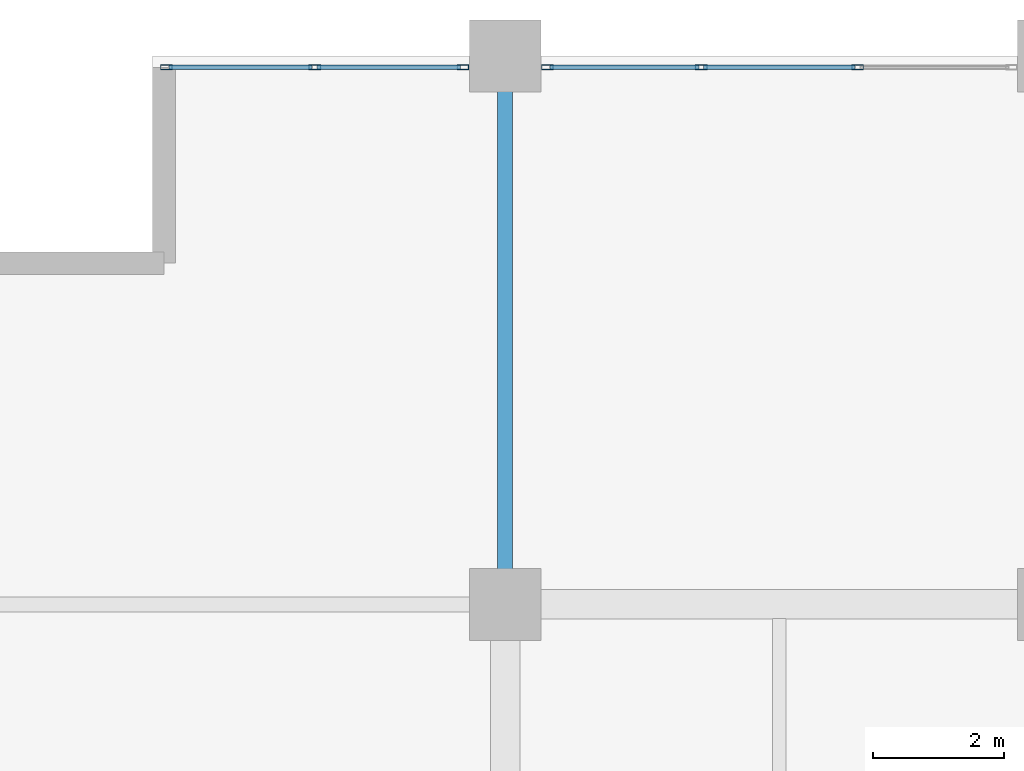
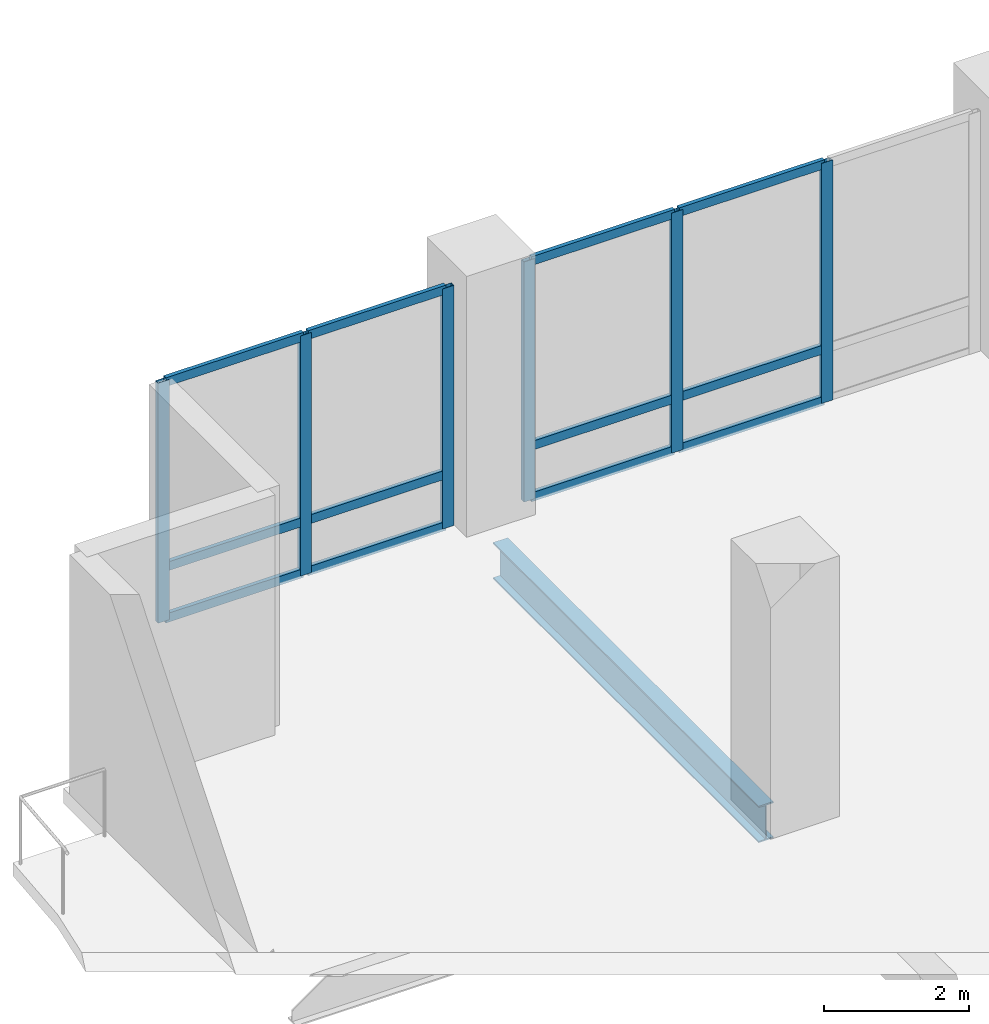
# One storey, part 9 of 25: 18 members, 1 beam, 2 elements without a shape of their own.
"""IFC4 building model written with IfcOpenShell, lengths in metres."""

from ifc_helpers import new_model, si_unit, direction, frame, origin, origin_2d, place, context, subcontext, project, spatial, hollow_rectangle, i_section, extrude, material, layer, layer_set, material_profile, profile_set, type_object, element, aggregate, save


model = new_model("IFC4")

# Units and contexts
model_context = context("Model", 3, precision=1e-05, world=origin(), true_north=direction((0.0, 1.0)))
body_context = subcontext(model_context, "Body", "Model", "MODEL_VIEW")
ifc_project = project(units=[si_unit("LENGTHUNIT", "METRE"), si_unit("AREAUNIT", "SQUARE_METRE"), si_unit("VOLUMEUNIT", "CUBIC_METRE"), si_unit("PLANEANGLEUNIT", "RADIAN"), si_unit("MASSUNIT", "GRAM", prefix="KILO")], contexts=[model_context])

# Site, building, storey
site_placement = place(None, origin())
site = spatial("IfcSite", under=ifc_project, at=site_placement, CompositionType="ELEMENT")
building_placement = place(site_placement, origin())
building = spatial("IfcBuilding", under=site, at=building_placement, Name="Koriwani Terraces Tower", CompositionType="ELEMENT")
storey_placement = place(building_placement, frame((0.0, 0.0, 157.60009765625)))
storey = spatial("IfcBuildingStorey", under=building, at=storey_placement, Name="L38", CompositionType="ELEMENT", Elevation=157.60009765625)

# Curtain wall, members
ifc_material_1 = material(Name="Anodised Bronze Aluminium", Category="aluminium")
ifc_layer = layer(ifc_material_1, 0.169921875, Name="Anodised Bronze Aluminium")
ifc_layer_set = layer_set([ifc_layer], Name="Anodised Bronze Aluminium")
curtain_wall_type = type_object("IfcCurtainWallType", Name="CW_RES_ZONE3", PredefinedType="NOTDEFINED", material=ifc_layer_set)
curtain_wall_1_placement = place(storey_placement, origin())
curtain_wall_1 = element("IfcCurtainWall", 1, at=curtain_wall_1_placement, inside=storey, type_object=curtain_wall_type, Name="L38 Unitised Curtain Wall (N_TIP) Bay 1", PredefinedType="NOTDEFINED")
ifc_material_profile_1 = material_profile(ifc_material_1, hollow_rectangle(XDim=0.074951171875, YDim=0.179931640625, WallThickness=0.006103515625, at=origin_2d()), Name="Anodised Bronze Aluminium", Category="LoadBearing")
ifc_profile_set_1 = profile_set([ifc_material_profile_1], Name="Anodised Bronze Aluminium")
member_type_1 = type_object("IfcMemberType", Name="CW_MULLION_180X75", PredefinedType="MULLION", material=ifc_profile_set_1)
member_1_placement = place(storey_placement, frame((3.21240234375, 75.425048828125, 0.0), z_axis=(0.0, 0.0, 1.0), x_axis=(0.0, 1.0, 0.0)))
member_1 = element("IfcMember", 2, at=member_1_placement, type_object=member_type_1, Name="CW-Z3 mullion 1", PredefinedType="MULLION", context=body_context, shape_type="SweptSolid", body=[
    extrude(hollow_rectangle(XDim=0.074951171875, YDim=0.179931640625, WallThickness=0.006103515625, at=origin_2d()), origin(), (0.0, 0.0, 1.0), 4.0498046875),
])
member_2_placement = place(storey_placement, frame((5.482421875, 75.425048828125, 0.0), z_axis=(0.0, 0.0, 1.0), x_axis=(0.0, 1.0, 0.0)))
member_2 = element("IfcMember", 3, at=member_2_placement, type_object=member_type_1, Name="CW-Z3 mullion 2", PredefinedType="MULLION", context=body_context, shape_type="SweptSolid", body=[
    extrude(hollow_rectangle(XDim=0.074951171875, YDim=0.179931640625, WallThickness=0.006103515625, at=origin_2d()), origin(), (0.0, 0.0, 1.0), 4.0498046875),
])
member_3_placement = place(storey_placement, frame((7.75244140625, 75.425048828125, 0.0), z_axis=(0.0, 0.0, 1.0), x_axis=(0.0, 1.0, 0.0)))
member_3 = element("IfcMember", 4, at=member_3_placement, type_object=member_type_1, Name="CW-Z3 mullion 3", PredefinedType="MULLION", context=body_context, shape_type="SweptSolid", body=[
    extrude(hollow_rectangle(XDim=0.074951171875, YDim=0.179931640625, WallThickness=0.006103515625, at=origin_2d()), origin(), (0.0, 0.0, 1.0), 4.0498046875),
])

curtain_wall_2_placement = place(storey_placement, origin())
curtain_wall_2 = element("IfcCurtainWall", 5, at=curtain_wall_2_placement, inside=storey, type_object=curtain_wall_type, Name="L38 Unitised Curtain Wall (N_TIP) Bay 2", PredefinedType="NOTDEFINED")
member_4_placement = place(storey_placement, frame((9.047607421875, 75.425048828125, 0.0), z_axis=(0.0, 0.0, 1.0), x_axis=(0.0, 1.0, 0.0)))
member_4 = element("IfcMember", 6, at=member_4_placement, type_object=member_type_1, Name="CW-Z3 mullion 1", PredefinedType="MULLION", context=body_context, shape_type="SweptSolid", body=[
    extrude(hollow_rectangle(XDim=0.074951171875, YDim=0.179931640625, WallThickness=0.006103515625, at=origin_2d()), origin(), (0.0, 0.0, 1.0), 4.0498046875),
])
member_5_placement = place(storey_placement, frame((11.4033203125, 75.425048828125, 0.0), z_axis=(0.0, 0.0, 1.0), x_axis=(0.0, 1.0, 0.0)))
member_5 = element("IfcMember", 7, at=member_5_placement, type_object=member_type_1, Name="CW-Z3 mullion 2", PredefinedType="MULLION", context=body_context, shape_type="SweptSolid", body=[
    extrude(hollow_rectangle(XDim=0.074951171875, YDim=0.179931640625, WallThickness=0.006103515625, at=origin_2d()), origin(), (0.0, 0.0, 1.0), 4.0498046875),
])
member_6_placement = place(storey_placement, frame((13.796630859375, 75.425048828125, 0.0), z_axis=(0.0, 0.0, 1.0), x_axis=(0.0, 1.0, 0.0)))
member_6 = element("IfcMember", 8, at=member_6_placement, type_object=member_type_1, Name="CW-Z3 mullion 3", PredefinedType="MULLION", context=body_context, shape_type="SweptSolid", body=[
    extrude(hollow_rectangle(XDim=0.074951171875, YDim=0.179931640625, WallThickness=0.006103515625, at=origin_2d()), origin(), (0.0, 0.0, 1.0), 4.0498046875),
])

# Member
ifc_material_profile_2 = material_profile(ifc_material_1, hollow_rectangle(XDim=0.06494140625, YDim=0.14990234375, WallThickness=0.0048828125, at=origin_2d()), Name="Anodised Bronze Aluminium", Category="LoadBearing")
ifc_profile_set_2 = profile_set([ifc_material_profile_2], Name="Anodised Bronze Aluminium")
member_type_2 = type_object("IfcMemberType", Name="CW_TRANSOM_150X65", PredefinedType="USERDEFINED", material=ifc_profile_set_2)
member_7_placement = place(storey_placement, frame((3.25, 75.425048828125, 0.032470703125), z_axis=(1.0, 0.0, 0.0), x_axis=(0.0, 1.0, 0.0)))
member_7 = element("IfcMember", 9, at=member_7_placement, type_object=member_type_2, Name="CW-Z3 transom 1.1", ObjectType="TRANSOM", PredefinedType="USERDEFINED", context=body_context, shape_type="SweptSolid", body=[
    extrude(hollow_rectangle(XDim=0.06494140625, YDim=0.14990234375, WallThickness=0.0048828125, at=origin_2d()), origin(), (0.0, 0.0, 1.0), 2.195068359375),
])

member_8_placement = place(storey_placement, frame((3.25, 75.425048828125, 0.89990234375), z_axis=(1.0, 0.0, 0.0), x_axis=(0.0, 1.0, 0.0)))
member_8 = element("IfcMember", 10, at=member_8_placement, type_object=member_type_2, Name="CW-Z3 transom 1.2", ObjectType="TRANSOM", PredefinedType="USERDEFINED", context=body_context, shape_type="SweptSolid", body=[
    extrude(hollow_rectangle(XDim=0.06494140625, YDim=0.14990234375, WallThickness=0.0048828125, at=origin_2d()), origin(), (0.0, 0.0, 1.0), 2.195068359375),
])

member_9_placement = place(storey_placement, frame((3.25, 75.425048828125, 4.017333984375), z_axis=(1.0, 0.0, 0.0), x_axis=(0.0, 1.0, 0.0)))
member_9 = element("IfcMember", 11, at=member_9_placement, type_object=member_type_2, Name="CW-Z3 transom 1.3", ObjectType="TRANSOM", PredefinedType="USERDEFINED", context=body_context, shape_type="SweptSolid", body=[
    extrude(hollow_rectangle(XDim=0.06494140625, YDim=0.14990234375, WallThickness=0.0048828125, at=origin_2d()), origin(), (0.0, 0.0, 1.0), 2.195068359375),
])

member_10_placement = place(storey_placement, frame((5.52001953125, 75.425048828125, 0.032470703125), z_axis=(1.0, 0.0, 0.0), x_axis=(0.0, 1.0, 0.0)))
member_10 = element("IfcMember", 12, at=member_10_placement, type_object=member_type_2, Name="CW-Z3 transom 2.1", ObjectType="TRANSOM", PredefinedType="USERDEFINED", context=body_context, shape_type="SweptSolid", body=[
    extrude(hollow_rectangle(XDim=0.06494140625, YDim=0.14990234375, WallThickness=0.0048828125, at=origin_2d()), origin(), (0.0, 0.0, 1.0), 2.195068359375),
])

member_11_placement = place(storey_placement, frame((5.52001953125, 75.425048828125, 0.89990234375), z_axis=(1.0, 0.0, 0.0), x_axis=(0.0, 1.0, 0.0)))
member_11 = element("IfcMember", 13, at=member_11_placement, type_object=member_type_2, Name="CW-Z3 transom 2.2", ObjectType="TRANSOM", PredefinedType="USERDEFINED", context=body_context, shape_type="SweptSolid", body=[
    extrude(hollow_rectangle(XDim=0.06494140625, YDim=0.14990234375, WallThickness=0.0048828125, at=origin_2d()), origin(), (0.0, 0.0, 1.0), 2.195068359375),
])

member_12_placement = place(storey_placement, frame((5.52001953125, 75.425048828125, 4.017333984375), z_axis=(1.0, 0.0, 0.0), x_axis=(0.0, 1.0, 0.0)))
member_12 = element("IfcMember", 14, at=member_12_placement, type_object=member_type_2, Name="CW-Z3 transom 2.3", ObjectType="TRANSOM", PredefinedType="USERDEFINED", context=body_context, shape_type="SweptSolid", body=[
    extrude(hollow_rectangle(XDim=0.06494140625, YDim=0.14990234375, WallThickness=0.0048828125, at=origin_2d()), origin(), (0.0, 0.0, 1.0), 2.195068359375),
])

aggregate(curtain_wall_1, [member_1, member_2, member_3, member_7, member_8, member_9, member_10, member_11, member_12])

member_13_placement = place(storey_placement, frame((9.0849609375, 75.425048828125, 0.032470703125), z_axis=(1.0, 0.0, 0.0), x_axis=(0.0, 1.0, 0.0)))
member_13 = element("IfcMember", 15, at=member_13_placement, type_object=member_type_2, Name="CW-Z3 transom 1.1", ObjectType="TRANSOM", PredefinedType="USERDEFINED", context=body_context, shape_type="SweptSolid", body=[
    extrude(hollow_rectangle(XDim=0.06494140625, YDim=0.14990234375, WallThickness=0.0048828125, at=origin_2d()), origin(), (0.0, 0.0, 1.0), 2.28076171875),
])

member_14_placement = place(storey_placement, frame((9.0849609375, 75.425048828125, 0.89990234375), z_axis=(1.0, 0.0, 0.0), x_axis=(0.0, 1.0, 0.0)))
member_14 = element("IfcMember", 16, at=member_14_placement, type_object=member_type_2, Name="CW-Z3 transom 1.2", ObjectType="TRANSOM", PredefinedType="USERDEFINED", context=body_context, shape_type="SweptSolid", body=[
    extrude(hollow_rectangle(XDim=0.06494140625, YDim=0.14990234375, WallThickness=0.0048828125, at=origin_2d()), origin(), (0.0, 0.0, 1.0), 2.28076171875),
])

member_15_placement = place(storey_placement, frame((9.0849609375, 75.425048828125, 4.017333984375), z_axis=(1.0, 0.0, 0.0), x_axis=(0.0, 1.0, 0.0)))
member_15 = element("IfcMember", 17, at=member_15_placement, type_object=member_type_2, Name="CW-Z3 transom 1.3", ObjectType="TRANSOM", PredefinedType="USERDEFINED", context=body_context, shape_type="SweptSolid", body=[
    extrude(hollow_rectangle(XDim=0.06494140625, YDim=0.14990234375, WallThickness=0.0048828125, at=origin_2d()), origin(), (0.0, 0.0, 1.0), 2.28076171875),
])

member_16_placement = place(storey_placement, frame((11.44091796875, 75.425048828125, 0.032470703125), z_axis=(1.0, 0.0, 0.0), x_axis=(0.0, 1.0, 0.0)))
member_16 = element("IfcMember", 18, at=member_16_placement, type_object=member_type_2, Name="CW-Z3 transom 2.1", ObjectType="TRANSOM", PredefinedType="USERDEFINED", context=body_context, shape_type="SweptSolid", body=[
    extrude(hollow_rectangle(XDim=0.06494140625, YDim=0.14990234375, WallThickness=0.0048828125, at=origin_2d()), origin(), (0.0, 0.0, 1.0), 2.318359375),
])

member_17_placement = place(storey_placement, frame((11.44091796875, 75.425048828125, 0.89990234375), z_axis=(1.0, 0.0, 0.0), x_axis=(0.0, 1.0, 0.0)))
member_17 = element("IfcMember", 19, at=member_17_placement, type_object=member_type_2, Name="CW-Z3 transom 2.2", ObjectType="TRANSOM", PredefinedType="USERDEFINED", context=body_context, shape_type="SweptSolid", body=[
    extrude(hollow_rectangle(XDim=0.06494140625, YDim=0.14990234375, WallThickness=0.0048828125, at=origin_2d()), origin(), (0.0, 0.0, 1.0), 2.318359375),
])

member_18_placement = place(storey_placement, frame((11.44091796875, 75.425048828125, 4.017333984375), z_axis=(1.0, 0.0, 0.0), x_axis=(0.0, 1.0, 0.0)))
member_18 = element("IfcMember", 20, at=member_18_placement, type_object=member_type_2, Name="CW-Z3 transom 2.3", ObjectType="TRANSOM", PredefinedType="USERDEFINED", context=body_context, shape_type="SweptSolid", body=[
    extrude(hollow_rectangle(XDim=0.06494140625, YDim=0.14990234375, WallThickness=0.0048828125, at=origin_2d()), origin(), (0.0, 0.0, 1.0), 2.318359375),
])

aggregate(curtain_wall_2, [member_4, member_5, member_6, member_13, member_14, member_15, member_16, member_17, member_18])

# Beam
ifc_material_2 = material(Name="Steel ASTM A572 Grade 50", Category="steel")
ifc_material_profile_3 = material_profile(ifc_material_2, i_section(OverallWidth=0.23095703125, OverallDepth=0.616943359375, WebThickness=0.015380859375, FlangeThickness=0.0244140625, at=origin_2d()), Name="Steel ASTM A572 Grade 50", Category="LoadBearing")
ifc_profile_set_3 = profile_set([ifc_material_profile_3], Name="Steel ASTM A572 Grade 50")
beam_type = type_object("IfcBeamType", Name="STEEL_BEAM_W610X195", PredefinedType="BEAM", material=ifc_profile_set_3)
beam_placement = place(storey_placement, frame((8.39990234375, 67.72998046875, -0.55859375), z_axis=(0.0, 1.0, 0.0), x_axis=(-1.0, 0.0, 0.0)))
element("IfcBeam", 21, at=beam_placement, inside=storey, type_object=beam_type, Name="L38 Grid Beam 2 (67.2-75.6m)", PredefinedType="BEAM", context=body_context, shape_type="SweptSolid", body=[
    extrude(i_section(OverallWidth=0.23095703125, OverallDepth=0.616943359375, WebThickness=0.015380859375, FlangeThickness=0.0244140625, at=origin_2d()), origin(), (0.0, 0.0, 1.0), 7.340087890625),
])

save(model, "model.ifc")
